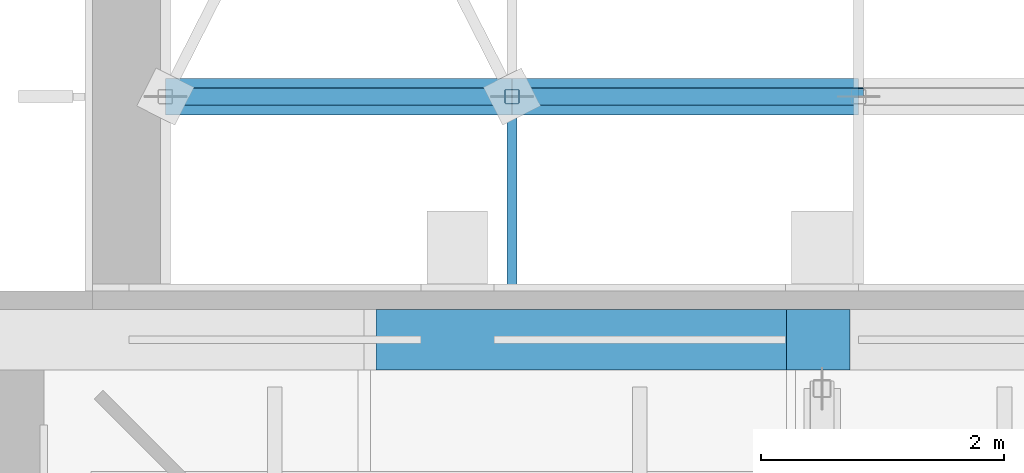
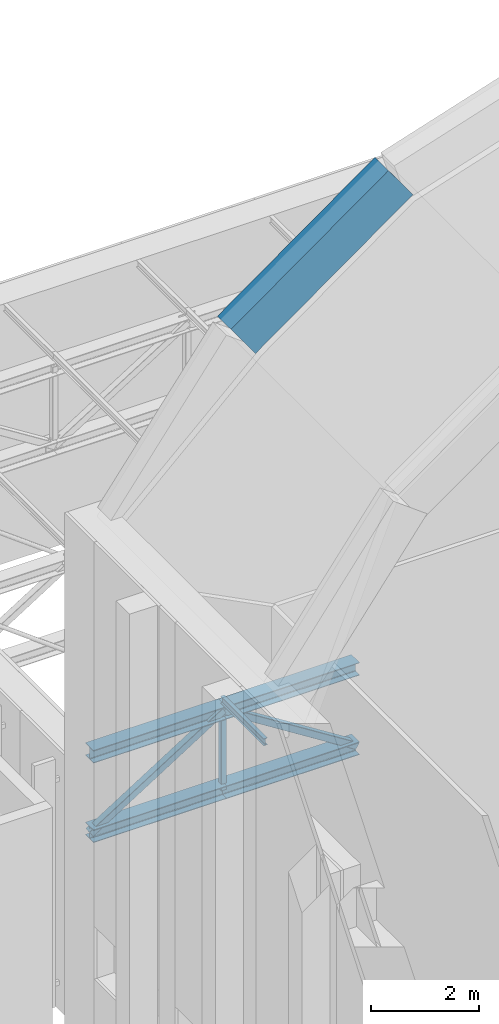
# One storey, part 30 of 55: 8 members, 1 beam.
"""IFC4 building model written with IfcOpenShell, lengths in metres."""

from ifc_helpers import new_model, si_unit, direction, frame, origin, origin_2d, place, context, subcontext, project, spatial, rectangle, hollow_rectangle, i_section, extrude, material, material_profile, profile_set, type_object, element, save


model = new_model("IFC4")

# Units and contexts
model_context = context("Model", 3, precision=1e-05, world=origin(), true_north=direction((0.0, 1.0)))
body_context = subcontext(model_context, "Body", "Model", "MODEL_VIEW")
ifc_project = project(units=[si_unit("LENGTHUNIT", "METRE"), si_unit("AREAUNIT", "SQUARE_METRE"), si_unit("VOLUMEUNIT", "CUBIC_METRE"), si_unit("PLANEANGLEUNIT", "RADIAN"), si_unit("MASSUNIT", "GRAM", prefix="KILO")], contexts=[model_context])

# Site, building, storey
site_placement = place(None, origin())
site = spatial("IfcSite", under=ifc_project, at=site_placement, CompositionType="ELEMENT")
building_placement = place(site_placement, origin())
building = spatial("IfcBuilding", under=site, at=building_placement, Name="Lunette Opera House", CompositionType="ELEMENT")
storey_placement = place(building_placement, frame((0.0, 0.0, 34.0)))
storey = spatial("IfcBuildingStorey", under=building, at=storey_placement, Name="L06", CompositionType="ELEMENT", Elevation=34.0)

# Beam
ifc_material_1 = material(Name="Concrete C40/50", Category="concrete")
ifc_material_profile_1 = material_profile(ifc_material_1, rectangle(XDim=0.5, YDim=0.89990234375, at=origin_2d()), Name="ARCH BEAM 500X900")
ifc_profile_set_1 = profile_set([ifc_material_profile_1], Name="Concrete C40/50")
beam_type = type_object("IfcBeamType", Name="ARCH BEAM 500X900", PredefinedType="BEAM", material=ifc_profile_set_1)
beam_placement = place(storey_placement, frame((86.593994140625, 120.39990234375, 15.56298828125), z_axis=(0.81279485596, 0.0, 0.582550016844), x_axis=(0.0, 1.0, 0.0)))
element("IfcBeam", 1, at=beam_placement, inside=storey, type_object=beam_type, Name="beam-ST-L06-EAT5-2", PredefinedType="BEAM", context=body_context, shape_type="SweptSolid", body=[
    extrude(rectangle(XDim=0.5, YDim=0.89990234375, at=origin_2d()), origin(), (0.0, 0.0, 1.0), 4.15234375),
])

# Members
ifc_material_2 = material(Name="Steel S355", Category="steel")
ifc_material_profile_2 = material_profile(ifc_material_2, i_section(OverallWidth=0.300048828125, OverallDepth=0.2900390625, WebThickness=0.008544921875, FlangeThickness=0.013916015625, FilletRadius=0.027099609375, at=origin_2d()), Name="HEA 300")
ifc_profile_set_2 = profile_set([ifc_material_profile_2], Name="Steel S355")
member_type_1 = type_object("IfcMemberType", Name="CHORD HEA 300", PredefinedType="CHORD", material=ifc_profile_set_2)
for number, where, z_axis, x_axis, name in (
    (2, (84.60009765625, 122.39990234375, 5.574951171875), (1.0, 0.0, 0.0), (0.0, 1.0, 0.0), "mem-ST-L06-SR-TR01-TC1"),
    (3, (84.60009765625, 122.39990234375, 3.77490234375), (1.0, 0.0, 0.0), (0.0, 1.0, 0.0), "mem-ST-L06-SR-TR01-BC1"),
):
    element("IfcMember", number, at=place(storey_placement, frame(where, z_axis=z_axis, x_axis=x_axis)), inside=storey, type_object=member_type_1, Name=name, PredefinedType="CHORD", context=body_context, shape_type="SweptSolid", body=[
        extrude(i_section(OverallWidth=0.300048828125, OverallDepth=0.2900390625, WebThickness=0.008544921875, FlangeThickness=0.013916015625, FilletRadius=0.027099609375, at=origin_2d()), origin(), (0.0, 0.0, 1.0), 2.849853515625),
    ])
for number, where, z_axis, x_axis, name in (
    (4, (87.449951171875, 122.39990234375, 5.574951171875), (1.0, 0.0, 0.0), (0.0, 1.0, 0.0), "mem-ST-L06-SR-TR01-TC2"),
    (5, (87.449951171875, 122.39990234375, 3.77490234375), (1.0, 0.0, 0.0), (0.0, 1.0, 0.0), "mem-ST-L06-SR-TR01-BC2"),
):
    element("IfcMember", number, at=place(storey_placement, frame(where, z_axis=z_axis, x_axis=x_axis)), inside=storey, type_object=member_type_1, Name=name, PredefinedType="CHORD", context=body_context, shape_type="SweptSolid", body=[
        extrude(i_section(OverallWidth=0.300048828125, OverallDepth=0.2900390625, WebThickness=0.008544921875, FlangeThickness=0.013916015625, FilletRadius=0.027099609375, at=origin_2d()), origin(), (0.0, 0.0, 1.0), 2.85009765625),
    ])
ifc_material_3 = material(Name="Steel S355", Category="steel")
ifc_material_profile_3 = material_profile(ifc_material_3, hollow_rectangle(XDim=0.14990234375, YDim=0.14990234375, WallThickness=0.006103515625, InnerFilletRadius=0.006103515625, OuterFilletRadius=0.011962890625, at=origin_2d()), Name="RHS 150X150X6")
ifc_profile_set_3 = profile_set([ifc_material_profile_3], Name="Steel S355")
member_type_2 = type_object("IfcMemberType", Name="DIAGONAL RHS 150X150X6", PredefinedType="BRACE", material=ifc_profile_set_3)
for number, where, z_axis, x_axis, name in (
    (6, (84.60009765625, 122.39990234375, 3.77490234375), (0.845469970423, 0.0, 0.53402296684), (0.0, 1.0, 0.0), "mem-ST-L06-SR-TR01-TD1"),
    (7, (87.449951171875, 122.39990234375, 5.574951171875), (0.845490624019, 0.0, -0.53399026648), (0.0, 1.0, 0.0), "mem-ST-L06-SR-TR01-TD2"),
):
    element("IfcMember", number, at=place(storey_placement, frame(where, z_axis=z_axis, x_axis=x_axis)), inside=storey, type_object=member_type_2, Name=name, PredefinedType="BRACE", context=body_context, shape_type="SweptSolid", body=[
        extrude(hollow_rectangle(XDim=0.14990234375, YDim=0.14990234375, WallThickness=0.006103515625, InnerFilletRadius=0.006103515625, OuterFilletRadius=0.011962890625, at=origin_2d()), origin(), (0.0, 0.0, 1.0), 3.370849609375),
    ])
ifc_material_4 = material(Name="Steel S355", Category="steel")
ifc_material_profile_4 = material_profile(ifc_material_4, i_section(OverallWidth=0.08203125, OverallDepth=0.159912109375, WebThickness=0.0048828125, FlangeThickness=0.00732421875, FilletRadius=0.009033203125, at=origin_2d()), Name="IPE 160")
ifc_profile_set_4 = profile_set([ifc_material_profile_4], Name="Steel S355")
member_type_3 = type_object("IfcMemberType", Name="PURLIN IPE 160", PredefinedType="PURLIN", material=ifc_profile_set_4)
member_1_placement = place(storey_placement, frame((87.449951171875, 120.800048828125, 5.800048828125), z_axis=(0.0, 1.0, 0.0), x_axis=(-1.0, 0.0, 0.0)))
element("IfcMember", 8, at=member_1_placement, inside=storey, type_object=member_type_3, Name="mem-ST-L06-SR-TR-PU2-1", PredefinedType="PURLIN", context=body_context, shape_type="SweptSolid", body=[
    extrude(i_section(OverallWidth=0.08203125, OverallDepth=0.159912109375, WebThickness=0.0048828125, FlangeThickness=0.00732421875, FilletRadius=0.009033203125, at=origin_2d()), origin(), (0.0, 0.0, 1.0), 1.599853515625),
])
ifc_material_5 = material(Name="Steel S355", Category="steel")
ifc_material_profile_5 = material_profile(ifc_material_5, hollow_rectangle(XDim=0.1201171875, YDim=0.1201171875, WallThickness=0.0048828125, InnerFilletRadius=0.0048828125, OuterFilletRadius=0.010009765625, at=origin_2d()), Name="RHS 120X120X5")
ifc_profile_set_5 = profile_set([ifc_material_profile_5], Name="Steel S355")
member_type_4 = type_object("IfcMemberType", Name="VERTICAL RHS 120X120X5", PredefinedType="POST", material=ifc_profile_set_5)
member_2_placement = place(storey_placement, frame((87.449951171875, 122.39990234375, 3.77490234375), z_axis=(0.0, 0.0, 1.0), x_axis=(1.0, 0.0, 0.0)))
element("IfcMember", 9, at=member_2_placement, inside=storey, type_object=member_type_4, Name="mem-ST-L06-SR-TR01-TV2", PredefinedType="POST", context=body_context, shape_type="SweptSolid", body=[
    extrude(hollow_rectangle(XDim=0.1201171875, YDim=0.1201171875, WallThickness=0.0048828125, InnerFilletRadius=0.0048828125, OuterFilletRadius=0.010009765625, at=origin_2d()), origin(), (0.0, 0.0, 1.0), 1.800048828125),
])

save(model, "model.ifc")
